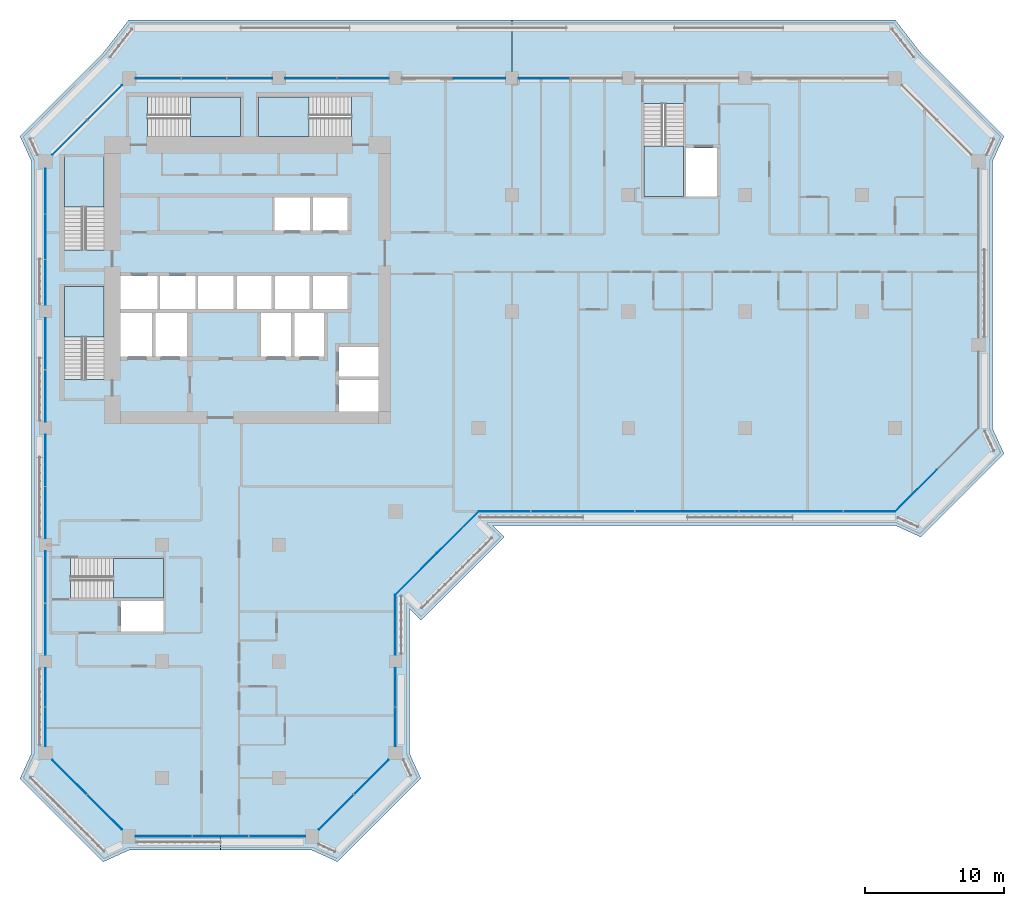
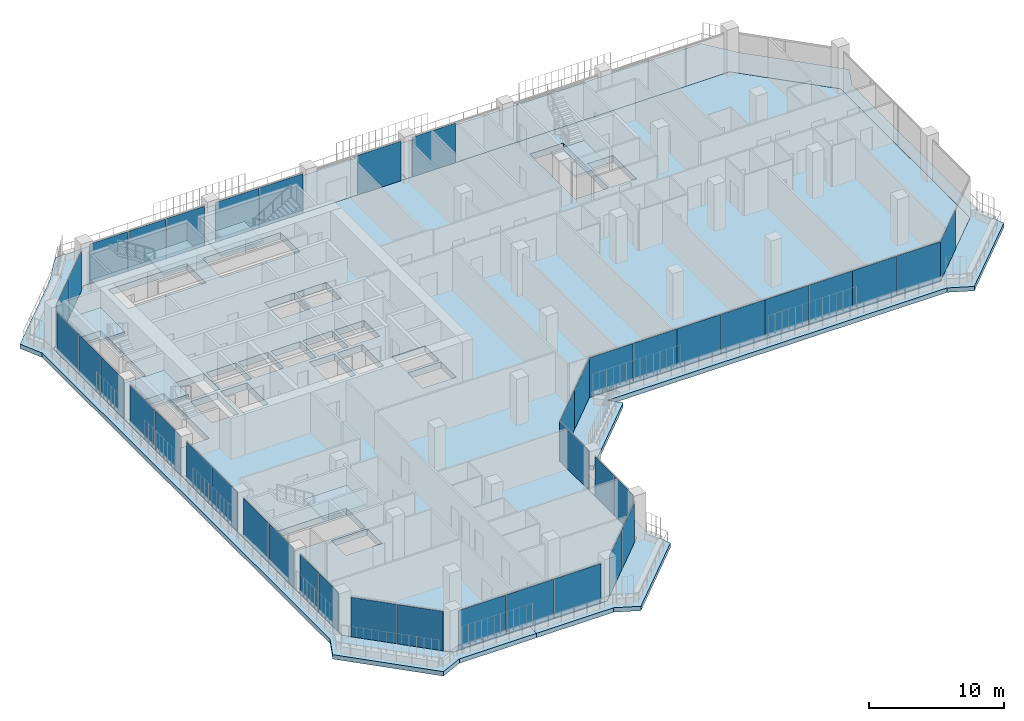
# One storey, part 8 of 22: 41 plates, 9 slabs, 16 elements without a shape of their own.
"""IFC4 building model written with IfcOpenShell, lengths in metres."""

from ifc_helpers import new_model, si_unit, direction, frame, origin, origin_2d, place, context, subcontext, project, spatial, polyline, rectangle, outline, extrude, material, layer, layer_set, type_object, element, aggregate, save


model = new_model("IFC4")

# Units and contexts
model_context = context("Model", 3, precision=1e-05, world=origin(), true_north=direction((0.0, 1.0)))
body_context = subcontext(model_context, "Body", "Model", "MODEL_VIEW")
ifc_project = project(units=[si_unit("LENGTHUNIT", "METRE"), si_unit("AREAUNIT", "SQUARE_METRE"), si_unit("VOLUMEUNIT", "CUBIC_METRE"), si_unit("PLANEANGLEUNIT", "RADIAN"), si_unit("MASSUNIT", "GRAM", prefix="KILO")], contexts=[model_context])

# Site, building, storey
site_placement = place(None, origin())
site = spatial("IfcSite", under=ifc_project, at=site_placement, CompositionType="ELEMENT")
building_placement = place(site_placement, origin())
building = spatial("IfcBuilding", under=site, at=building_placement, Name="Kawkab Arch Medical Tower", CompositionType="ELEMENT")
storey_placement = place(building_placement, frame((0.0, 0.0, 208.800048828125)))
storey = spatial("IfcBuildingStorey", under=building, at=storey_placement, Name="L48", CompositionType="ELEMENT", Elevation=208.800048828125)

# Curtain wall, plates
ifc_material_1 = material(Name="Bronze anodised aluminium curtain wall frame", Category="aluminium")
ifc_layer_1 = layer(ifc_material_1, 0.159912109375)
ifc_layer_set_1 = layer_set([ifc_layer_1], Name="Bronze anodised aluminium curtain wall frame")
curtain_wall_type_1 = type_object("IfcCurtainWallType", Name="CW1 ward curtain wall", PredefinedType="NOTDEFINED", material=ifc_layer_set_1)
placement_1 = place(storey_placement, origin())
curtain_wall_1 = element("IfcCurtainWall", 1, at=placement_1, inside=storey, type_object=curtain_wall_type_1, Name="CW1 Ward curtain wall R01", PredefinedType="NOTDEFINED")
ifc_material_2 = material(Name="Tinted insulating glass, bronze low-e coating", Category="glass")
ifc_layer_2 = layer(ifc_material_2, 0.031982421875)
ifc_layer_set_2 = layer_set([ifc_layer_2], Name="Tinted insulating glass, bronze low-e coating")
plate_type_1 = type_object("IfcPlateType", Name="CW1 glazing unit 32", PredefinedType="CURTAIN_PANEL", material=ifc_layer_set_2)
plate_1_placement = place(storey_placement, frame((0.0, -8.12255859375, 0.0), z_axis=(0.0, 0.0, 1.0), x_axis=(0.0, -1.0, 0.0)))
plate_1 = element("IfcPlate", 2, at=plate_1_placement, type_object=plate_type_1, Name="CW1 glazing unit 1.1", PredefinedType="CURTAIN_PANEL", context=body_context, shape_type="SweptSolid", body=[
    extrude(rectangle(XDim=3.2451171875, YDim=0.031982421875, at=origin_2d()), origin(), (0.0, 0.0, 1.0), 3.580078125),
])
plate_2_placement = place(storey_placement, frame((0.0, -11.41259765625, 0.0), z_axis=(0.0, 0.0, 1.0), x_axis=(0.0, -1.0, 0.0)))
plate_2 = element("IfcPlate", 3, at=plate_2_placement, type_object=plate_type_1, Name="CW1 glazing unit 1.2", PredefinedType="CURTAIN_PANEL", context=body_context, shape_type="SweptSolid", body=[
    extrude(rectangle(XDim=3.215087890625, YDim=0.031982421875, at=origin_2d()), origin(), (0.0, 0.0, 1.0), 3.580078125),
])
plate_3_placement = place(storey_placement, frame((0.0, -14.702392578125, 0.0), z_axis=(0.0, 0.0, 1.0), x_axis=(0.0, -1.0, 0.0)))
plate_3 = element("IfcPlate", 4, at=plate_3_placement, type_object=plate_type_1, Name="CW1 glazing unit 1.3", PredefinedType="CURTAIN_PANEL", context=body_context, shape_type="SweptSolid", body=[
    extrude(rectangle(XDim=3.2451171875, YDim=0.031982421875, at=origin_2d()), origin(), (0.0, 0.0, 1.0), 3.580078125),
])
plate_4_placement = place(storey_placement, frame((0.0, -19.12255859375, 0.0), z_axis=(0.0, 0.0, 1.0), x_axis=(0.0, -1.0, 0.0)))
plate_4 = element("IfcPlate", 5, at=plate_4_placement, type_object=plate_type_1, Name="CW1 glazing unit 2.1", PredefinedType="CURTAIN_PANEL", context=body_context, shape_type="SweptSolid", body=[
    extrude(rectangle(XDim=3.695068359375, YDim=0.031982421875, at=origin_2d()), origin(), (0.0, 0.0, 1.0), 3.580078125),
])
plate_5_placement = place(storey_placement, frame((0.0, -22.87744140625, 0.0), z_axis=(0.0, 0.0, 1.0), x_axis=(0.0, -1.0, 0.0)))
plate_5 = element("IfcPlate", 6, at=plate_5_placement, type_object=plate_type_1, Name="CW1 glazing unit 2.2", PredefinedType="CURTAIN_PANEL", context=body_context, shape_type="SweptSolid", body=[
    extrude(rectangle(XDim=3.695068359375, YDim=0.031982421875, at=origin_2d()), origin(), (0.0, 0.0, 1.0), 3.580078125),
])
plate_6_placement = place(storey_placement, frame((0.0, -27.5224609375, 0.0), z_axis=(0.0, 0.0, 1.0), x_axis=(0.0, -1.0, 0.0)))
plate_6 = element("IfcPlate", 7, at=plate_6_placement, type_object=plate_type_1, Name="CW1 glazing unit 3.1", PredefinedType="CURTAIN_PANEL", context=body_context, shape_type="SweptSolid", body=[
    extrude(rectangle(XDim=3.695068359375, YDim=0.031982421875, at=origin_2d()), origin(), (0.0, 0.0, 1.0), 3.580078125),
])
plate_7_placement = place(storey_placement, frame((0.0, -31.277587890625, 0.0), z_axis=(0.0, 0.0, 1.0), x_axis=(0.0, -1.0, 0.0)))
plate_7 = element("IfcPlate", 8, at=plate_7_placement, type_object=plate_type_1, Name="CW1 glazing unit 3.2", PredefinedType="CURTAIN_PANEL", context=body_context, shape_type="SweptSolid", body=[
    extrude(rectangle(XDim=3.695068359375, YDim=0.031982421875, at=origin_2d()), origin(), (0.0, 0.0, 1.0), 3.580078125),
])
plate_8_placement = place(storey_placement, frame((0.0, -35.922607421875, 0.0), z_axis=(0.0, 0.0, 1.0), x_axis=(0.0, -1.0, 0.0)))
plate_8 = element("IfcPlate", 9, at=plate_8_placement, type_object=plate_type_1, Name="CW1 glazing unit 4.1", PredefinedType="CURTAIN_PANEL", context=body_context, shape_type="SweptSolid", body=[
    extrude(rectangle(XDim=3.695068359375, YDim=0.031982421875, at=origin_2d()), origin(), (0.0, 0.0, 1.0), 3.580078125),
])
plate_9_placement = place(storey_placement, frame((0.0, -39.677490234375, 0.0), z_axis=(0.0, 0.0, 1.0), x_axis=(0.0, -1.0, 0.0)))
plate_9 = element("IfcPlate", 10, at=plate_9_placement, type_object=plate_type_1, Name="CW1 glazing unit 4.2", PredefinedType="CURTAIN_PANEL", context=body_context, shape_type="SweptSolid", body=[
    extrude(rectangle(XDim=3.695068359375, YDim=0.031982421875, at=origin_2d()), origin(), (0.0, 0.0, 1.0), 3.580078125),
])
plate_10_placement = place(storey_placement, frame((0.0, -43.8662109375, 0.0), z_axis=(0.0, 0.0, 1.0), x_axis=(0.0, -1.0, 0.0)))
plate_10 = element("IfcPlate", 11, at=plate_10_placement, type_object=plate_type_1, Name="CW1 glazing unit 5.1", PredefinedType="CURTAIN_PANEL", context=body_context, shape_type="SweptSolid", body=[
    extrude(rectangle(XDim=2.782470703125, YDim=0.031982421875, at=origin_2d()), origin(), (0.0, 0.0, 1.0), 3.580078125),
])
plate_11_placement = place(storey_placement, frame((0.0, -46.708740234375, 0.0), z_axis=(0.0, 0.0, 1.0), x_axis=(0.0, -1.0, 0.0)))
plate_11 = element("IfcPlate", 12, at=plate_11_placement, type_object=plate_type_1, Name="CW1 glazing unit 5.2", PredefinedType="CURTAIN_PANEL", context=body_context, shape_type="SweptSolid", body=[
    extrude(rectangle(XDim=2.782470703125, YDim=0.031982421875, at=origin_2d()), origin(), (0.0, 0.0, 1.0), 3.580078125),
])
aggregate(curtain_wall_1, [plate_1, plate_2, plate_3, plate_4, plate_5, plate_6, plate_7, plate_8, plate_9, plate_10, plate_11])

curtain_wall_2 = element("IfcCurtainWall", 13, at=placement_1, inside=storey, type_object=curtain_wall_type_1, Name="CW1 Ward curtain wall R03", PredefinedType="NOTDEFINED")
plate_12_placement = place(storey_placement, frame((8.518310546875, -54.60009765625, 0.0), z_axis=(0.0, 0.0, 1.0), x_axis=(1.0, 0.0, 0.0)))
plate_12 = element("IfcPlate", 14, at=plate_12_placement, type_object=plate_type_1, Name="CW1 glazing unit 1.1", PredefinedType="CURTAIN_PANEL", context=body_context, shape_type="SweptSolid", body=[
    extrude(rectangle(XDim=4.03662109375, YDim=0.031982421875, at=origin_2d()), origin(), (0.0, 0.0, 1.0), 3.580078125),
])
plate_13_placement = place(storey_placement, frame((12.60009765625, -54.60009765625, 0.0), z_axis=(0.0, 0.0, 1.0), x_axis=(1.0, 0.0, 0.0)))
plate_13 = element("IfcPlate", 15, at=plate_13_placement, type_object=plate_type_1, Name="CW1 glazing unit 1.2", PredefinedType="CURTAIN_PANEL", context=body_context, shape_type="SweptSolid", body=[
    extrude(rectangle(XDim=4.006591796875, YDim=0.031982421875, at=origin_2d()), origin(), (0.0, 0.0, 1.0), 3.580078125),
])
plate_14_placement = place(storey_placement, frame((16.681640625, -54.60009765625, 0.0), z_axis=(0.0, 0.0, 1.0), x_axis=(1.0, 0.0, 0.0)))
plate_14 = element("IfcPlate", 16, at=plate_14_placement, type_object=plate_type_1, Name="CW1 glazing unit 1.3", PredefinedType="CURTAIN_PANEL", context=body_context, shape_type="SweptSolid", body=[
    extrude(rectangle(XDim=4.03662109375, YDim=0.031982421875, at=origin_2d()), origin(), (0.0, 0.0, 1.0), 3.580078125),
])
aggregate(curtain_wall_2, [plate_12, plate_13, plate_14])

curtain_wall_3 = element("IfcCurtainWall", 17, at=placement_1, inside=storey, type_object=curtain_wall_type_1, Name="CW1 Ward curtain wall R05", PredefinedType="NOTDEFINED")
plate_15_placement = place(storey_placement, frame((25.199951171875, -46.708740234375, 0.0), z_axis=(0.0, 0.0, 1.0), x_axis=(0.0, 1.0, 0.0)))
plate_15 = element("IfcPlate", 18, at=plate_15_placement, type_object=plate_type_1, Name="CW1 glazing unit 1.1", PredefinedType="CURTAIN_PANEL", context=body_context, shape_type="SweptSolid", body=[
    extrude(rectangle(XDim=2.782470703125, YDim=0.031982421875, at=origin_2d()), origin(), (0.0, 0.0, 1.0), 3.580078125),
])
plate_16_placement = place(storey_placement, frame((25.199951171875, -43.8662109375, 0.0), z_axis=(0.0, 0.0, 1.0), x_axis=(0.0, 1.0, 0.0)))
plate_16 = element("IfcPlate", 19, at=plate_16_placement, type_object=plate_type_1, Name="CW1 glazing unit 1.2", PredefinedType="CURTAIN_PANEL", context=body_context, shape_type="SweptSolid", body=[
    extrude(rectangle(XDim=2.782470703125, YDim=0.031982421875, at=origin_2d()), origin(), (0.0, 0.0, 1.0), 3.580078125),
])
plate_17_placement = place(storey_placement, frame((25.199951171875, -39.362548828125, 0.0), z_axis=(0.0, 0.0, 1.0), x_axis=(0.0, 1.0, 0.0)))
plate_17 = element("IfcPlate", 20, at=plate_17_placement, type_object=plate_type_1, Name="CW1 glazing unit 2.1", PredefinedType="CURTAIN_PANEL", context=body_context, shape_type="SweptSolid", body=[
    extrude(rectangle(XDim=4.324951171875, YDim=0.031982421875, at=origin_2d()), origin(), (0.0, 0.0, 1.0), 3.580078125),
])
aggregate(curtain_wall_3, [plate_15, plate_16, plate_17])

curtain_wall_4 = element("IfcCurtainWall", 21, at=placement_1, inside=storey, type_object=curtain_wall_type_1, Name="CW1 Ward curtain wall R07", PredefinedType="NOTDEFINED")
plate_18_placement = place(storey_placement, frame((33.06005859375, -31.199951171875, 0.0), z_axis=(0.0, 0.0, 1.0), x_axis=(1.0, 0.0, 0.0)))
plate_18 = element("IfcPlate", 22, at=plate_18_placement, type_object=plate_type_1, Name="CW1 glazing unit 1.1", PredefinedType="CURTAIN_PANEL", context=body_context, shape_type="SweptSolid", body=[
    extrude(rectangle(XDim=3.719970703125, YDim=0.031982421875, at=origin_2d()), origin(), (0.0, 0.0, 1.0), 3.580078125),
])
plate_19_placement = place(storey_placement, frame((36.840087890625, -31.199951171875, 0.0), z_axis=(0.0, 0.0, 1.0), x_axis=(1.0, 0.0, 0.0)))
plate_19 = element("IfcPlate", 23, at=plate_19_placement, type_object=plate_type_1, Name="CW1 glazing unit 1.2", PredefinedType="CURTAIN_PANEL", context=body_context, shape_type="SweptSolid", body=[
    extrude(rectangle(XDim=3.719970703125, YDim=0.031982421875, at=origin_2d()), origin(), (0.0, 0.0, 1.0), 3.580078125),
])
plate_20_placement = place(storey_placement, frame((40.56005859375, -31.199951171875, 0.0), z_axis=(0.0, 0.0, 1.0), x_axis=(1.0, 0.0, 0.0)))
plate_20 = element("IfcPlate", 24, at=plate_20_placement, type_object=plate_type_1, Name="CW1 glazing unit 2.1", PredefinedType="CURTAIN_PANEL", context=body_context, shape_type="SweptSolid", body=[
    extrude(rectangle(XDim=3.719970703125, YDim=0.031982421875, at=origin_2d()), origin(), (0.0, 0.0, 1.0), 3.580078125),
])
plate_21_placement = place(storey_placement, frame((44.340087890625, -31.199951171875, 0.0), z_axis=(0.0, 0.0, 1.0), x_axis=(1.0, 0.0, 0.0)))
plate_21 = element("IfcPlate", 25, at=plate_21_placement, type_object=plate_type_1, Name="CW1 glazing unit 2.2", PredefinedType="CURTAIN_PANEL", context=body_context, shape_type="SweptSolid", body=[
    extrude(rectangle(XDim=3.719970703125, YDim=0.031982421875, at=origin_2d()), origin(), (0.0, 0.0, 1.0), 3.580078125),
])
plate_22_placement = place(storey_placement, frame((48.06005859375, -31.199951171875, 0.0), z_axis=(0.0, 0.0, 1.0), x_axis=(1.0, 0.0, 0.0)))
plate_22 = element("IfcPlate", 26, at=plate_22_placement, type_object=plate_type_1, Name="CW1 glazing unit 3.1", PredefinedType="CURTAIN_PANEL", context=body_context, shape_type="SweptSolid", body=[
    extrude(rectangle(XDim=3.719970703125, YDim=0.031982421875, at=origin_2d()), origin(), (0.0, 0.0, 1.0), 3.580078125),
])
plate_23_placement = place(storey_placement, frame((51.840087890625, -31.199951171875, 0.0), z_axis=(0.0, 0.0, 1.0), x_axis=(1.0, 0.0, 0.0)))
plate_23 = element("IfcPlate", 27, at=plate_23_placement, type_object=plate_type_1, Name="CW1 glazing unit 3.2", PredefinedType="CURTAIN_PANEL", context=body_context, shape_type="SweptSolid", body=[
    extrude(rectangle(XDim=3.719970703125, YDim=0.031982421875, at=origin_2d()), origin(), (0.0, 0.0, 1.0), 3.580078125),
])
plate_24_placement = place(storey_placement, frame((55.56005859375, -31.199951171875, 0.0), z_axis=(0.0, 0.0, 1.0), x_axis=(1.0, 0.0, 0.0)))
plate_24 = element("IfcPlate", 28, at=plate_24_placement, type_object=plate_type_1, Name="CW1 glazing unit 4.1", PredefinedType="CURTAIN_PANEL", context=body_context, shape_type="SweptSolid", body=[
    extrude(rectangle(XDim=3.719970703125, YDim=0.031982421875, at=origin_2d()), origin(), (0.0, 0.0, 1.0), 3.580078125),
])
plate_25_placement = place(storey_placement, frame((59.340087890625, -31.199951171875, 0.0), z_axis=(0.0, 0.0, 1.0), x_axis=(1.0, 0.0, 0.0)))
plate_25 = element("IfcPlate", 29, at=plate_25_placement, type_object=plate_type_1, Name="CW1 glazing unit 4.2", PredefinedType="CURTAIN_PANEL", context=body_context, shape_type="SweptSolid", body=[
    extrude(rectangle(XDim=3.719970703125, YDim=0.031982421875, at=origin_2d()), origin(), (0.0, 0.0, 1.0), 3.580078125),
])
aggregate(curtain_wall_4, [plate_18, plate_19, plate_20, plate_21, plate_22, plate_23, plate_24, plate_25])

curtain_wall_5 = element("IfcCurtainWall", 30, at=placement_1, inside=storey, type_object=curtain_wall_type_1, Name="CW1 Ward curtain wall R11", PredefinedType="NOTDEFINED")
plate_26_placement = place(storey_placement, frame((35.922607421875, 0.0, 0.0), z_axis=(0.0, 0.0, 1.0), x_axis=(-1.0, 0.0, 0.0)))
plate_26 = element("IfcPlate", 31, at=plate_26_placement, type_object=plate_type_1, Name="CW1 glazing unit 3.2", PredefinedType="CURTAIN_PANEL", context=body_context, shape_type="SweptSolid", body=[
    extrude(rectangle(XDim=3.695068359375, YDim=0.031982421875, at=origin_2d()), origin(), (0.0, 0.0, 1.0), 3.580078125),
])
plate_27_placement = place(storey_placement, frame((31.262451171875, 0.0, 0.0), z_axis=(0.0, 0.0, 1.0), x_axis=(-1.0, 0.0, 0.0)))
plate_27 = element("IfcPlate", 32, at=plate_27_placement, type_object=plate_type_1, Name="CW1 glazing unit 4.1", PredefinedType="CURTAIN_PANEL", context=body_context, shape_type="SweptSolid", body=[
    extrude(rectangle(XDim=3.72509765625, YDim=0.031982421875, at=origin_2d()), origin(), (0.0, 0.0, 1.0), 3.580078125),
])
plate_28_placement = place(storey_placement, frame((22.87744140625, 0.0, 0.0), z_axis=(0.0, 0.0, 1.0), x_axis=(-1.0, 0.0, 0.0)))
plate_28 = element("IfcPlate", 33, at=plate_28_placement, type_object=plate_type_1, Name="CW1 glazing unit 5.1", PredefinedType="CURTAIN_PANEL", context=body_context, shape_type="SweptSolid", body=[
    extrude(rectangle(XDim=3.695068359375, YDim=0.031982421875, at=origin_2d()), origin(), (0.0, 0.0, 1.0), 3.580078125),
])
plate_29_placement = place(storey_placement, frame((19.12255859375, 0.0, 0.0), z_axis=(0.0, 0.0, 1.0), x_axis=(-1.0, 0.0, 0.0)))
plate_29 = element("IfcPlate", 34, at=plate_29_placement, type_object=plate_type_1, Name="CW1 glazing unit 5.2", PredefinedType="CURTAIN_PANEL", context=body_context, shape_type="SweptSolid", body=[
    extrude(rectangle(XDim=3.695068359375, YDim=0.031982421875, at=origin_2d()), origin(), (0.0, 0.0, 1.0), 3.580078125),
])
plate_30_placement = place(storey_placement, frame((14.702392578125, 0.0, 0.0), z_axis=(0.0, 0.0, 1.0), x_axis=(-1.0, 0.0, 0.0)))
plate_30 = element("IfcPlate", 35, at=plate_30_placement, type_object=plate_type_1, Name="CW1 glazing unit 6.1", PredefinedType="CURTAIN_PANEL", context=body_context, shape_type="SweptSolid", body=[
    extrude(rectangle(XDim=3.2451171875, YDim=0.031982421875, at=origin_2d()), origin(), (0.0, 0.0, 1.0), 3.580078125),
])
plate_31_placement = place(storey_placement, frame((11.41259765625, 0.0, 0.0), z_axis=(0.0, 0.0, 1.0), x_axis=(-1.0, 0.0, 0.0)))
plate_31 = element("IfcPlate", 36, at=plate_31_placement, type_object=plate_type_1, Name="CW1 glazing unit 6.2", PredefinedType="CURTAIN_PANEL", context=body_context, shape_type="SweptSolid", body=[
    extrude(rectangle(XDim=3.215087890625, YDim=0.031982421875, at=origin_2d()), origin(), (0.0, 0.0, 1.0), 3.580078125),
])
plate_32_placement = place(storey_placement, frame((8.12255859375, 0.0, 0.0), z_axis=(0.0, 0.0, 1.0), x_axis=(-1.0, 0.0, 0.0)))
plate_32 = element("IfcPlate", 37, at=plate_32_placement, type_object=plate_type_1, Name="CW1 glazing unit 6.3", PredefinedType="CURTAIN_PANEL", context=body_context, shape_type="SweptSolid", body=[
    extrude(rectangle(XDim=3.2451171875, YDim=0.031982421875, at=origin_2d()), origin(), (0.0, 0.0, 1.0), 3.580078125),
])
aggregate(curtain_wall_5, [plate_26, plate_27, plate_28, plate_29, plate_30, plate_31, plate_32])

ifc_material_3 = material(Name="Bronze anodised aluminium curtain wall frame", Category="aluminium")
ifc_layer_3 = layer(ifc_material_3, 0.159912109375)
ifc_layer_set_3 = layer_set([ifc_layer_3], Name="Bronze anodised aluminium curtain wall frame")
curtain_wall_type_2 = type_object("IfcCurtainWallType", Name="CW2 chamfer curtain wall", PredefinedType="NOTDEFINED", material=ifc_layer_set_3)
curtain_wall_6 = element("IfcCurtainWall", 38, at=placement_1, inside=storey, type_object=curtain_wall_type_2, Name="CW2 Chamfer curtain wall R02", PredefinedType="NOTDEFINED")
ifc_material_4 = material(Name="Tinted insulating glass, bronze low-e coating", Category="glass")
ifc_layer_4 = layer(ifc_material_4, 0.031982421875)
ifc_layer_set_4 = layer_set([ifc_layer_4], Name="Tinted insulating glass, bronze low-e coating")
plate_type_2 = type_object("IfcPlateType", Name="CW2 glazing unit 32", PredefinedType="CURTAIN_PANEL", material=ifc_layer_set_4)
plate_33_placement = place(storey_placement, frame((1.739501953125, -50.33935546875, 0.0), z_axis=(0.0, 0.0, 1.0), x_axis=(0.707106781187, -0.707106781187, 0.0)))
plate_33 = element("IfcPlate", 39, at=plate_33_placement, type_object=plate_type_2, Name="CW2 glazing unit 1.1", PredefinedType="CURTAIN_PANEL", context=body_context, shape_type="SweptSolid", body=[
    extrude(rectangle(XDim=3.505615234375, YDim=0.031982421875, at=origin_2d()), origin(), (0.0, 0.0, 1.0), 3.56005859375),
])
plate_34_placement = place(storey_placement, frame((4.260498046875, -52.860595703125, 0.0), z_axis=(0.0, 0.0, 1.0), x_axis=(0.707106781187, -0.707106781187, 0.0)))
plate_34 = element("IfcPlate", 40, at=plate_34_placement, type_object=plate_type_2, Name="CW2 glazing unit 1.2", PredefinedType="CURTAIN_PANEL", context=body_context, shape_type="SweptSolid", body=[
    extrude(rectangle(XDim=3.505615234375, YDim=0.031982421875, at=origin_2d()), origin(), (0.0, 0.0, 1.0), 3.56005859375),
])
aggregate(curtain_wall_6, [plate_33, plate_34])

curtain_wall_7 = element("IfcCurtainWall", 41, at=placement_1, inside=storey, type_object=curtain_wall_type_2, Name="CW2 Chamfer curtain wall R04", PredefinedType="NOTDEFINED")
plate_35_placement = place(storey_placement, frame((20.939453125, -52.860595703125, 0.0), z_axis=(0.0, 0.0, 1.0), x_axis=(0.707106781187, 0.707106781187, 0.0)))
plate_35 = element("IfcPlate", 42, at=plate_35_placement, type_object=plate_type_2, Name="CW2 glazing unit 1.1", PredefinedType="CURTAIN_PANEL", context=body_context, shape_type="SweptSolid", body=[
    extrude(rectangle(XDim=3.505615234375, YDim=0.031982421875, at=origin_2d()), origin(), (0.0, 0.0, 1.0), 3.56005859375),
])
plate_36_placement = place(storey_placement, frame((23.460693359375, -50.33935546875, 0.0), z_axis=(0.0, 0.0, 1.0), x_axis=(0.707106781187, 0.707106781187, 0.0)))
plate_36 = element("IfcPlate", 43, at=plate_36_placement, type_object=plate_type_2, Name="CW2 glazing unit 1.2", PredefinedType="CURTAIN_PANEL", context=body_context, shape_type="SweptSolid", body=[
    extrude(rectangle(XDim=3.505615234375, YDim=0.031982421875, at=origin_2d()), origin(), (0.0, 0.0, 1.0), 3.56005859375),
])
aggregate(curtain_wall_7, [plate_35, plate_36])

curtain_wall_8 = element("IfcCurtainWall", 44, at=placement_1, inside=storey, type_object=curtain_wall_type_2, Name="CW2 Chamfer curtain wall R06", PredefinedType="NOTDEFINED")
plate_37_placement = place(storey_placement, frame((26.699951171875, -35.699951171875, 0.0), z_axis=(0.0, 0.0, 1.0), x_axis=(0.707106781187, 0.707106781187, 0.0)))
plate_37 = element("IfcPlate", 45, at=plate_37_placement, type_object=plate_type_2, Name="CW2 glazing unit 1.1", PredefinedType="CURTAIN_PANEL", context=body_context, shape_type="SweptSolid", body=[
    extrude(rectangle(XDim=4.24267578125, YDim=0.031982421875, at=origin_2d()), origin(), (0.0, 0.0, 1.0), 3.56005859375),
])
plate_38_placement = place(storey_placement, frame((29.699951171875, -32.699951171875, 0.0), z_axis=(0.0, 0.0, 1.0), x_axis=(0.707106781187, 0.707106781187, 0.0)))
plate_38 = element("IfcPlate", 46, at=plate_38_placement, type_object=plate_type_2, Name="CW2 glazing unit 2.1", PredefinedType="CURTAIN_PANEL", context=body_context, shape_type="SweptSolid", body=[
    extrude(rectangle(XDim=4.24267578125, YDim=0.031982421875, at=origin_2d()), origin(), (0.0, 0.0, 1.0), 3.56005859375),
])
aggregate(curtain_wall_8, [plate_37, plate_38])

# Curtain wall, plate
curtain_wall_9 = element("IfcCurtainWall", 47, at=placement_1, inside=storey, type_object=curtain_wall_type_2, Name="CW2 Chamfer curtain wall R08", PredefinedType="NOTDEFINED")
plate_39_placement = place(storey_placement, frame((62.699951171875, -29.699951171875, 0.0), z_axis=(0.0, 0.0, 1.0), x_axis=(0.707106781187, 0.707106781187, 0.0)))
plate_39 = element("IfcPlate", 48, at=plate_39_placement, type_object=plate_type_2, Name="CW2 glazing unit 1.1", PredefinedType="CURTAIN_PANEL", context=body_context, shape_type="SweptSolid", body=[
    extrude(rectangle(XDim=4.24267578125, YDim=0.031982421875, at=origin_2d()), origin(), (0.0, 0.0, 1.0), 3.56005859375),
])
aggregate(curtain_wall_9, [plate_39])

# Curtain wall, plates
curtain_wall_10 = element("IfcCurtainWall", 49, at=placement_1, inside=storey, type_object=curtain_wall_type_2, Name="CW2 Chamfer curtain wall R12", PredefinedType="NOTDEFINED")
plate_40_placement = place(storey_placement, frame((4.260498046875, -1.739501953125, 0.0), z_axis=(0.0, 0.0, 1.0), x_axis=(-0.707106781187, -0.707106781187, 0.0)))
plate_40 = element("IfcPlate", 50, at=plate_40_placement, type_object=plate_type_2, Name="CW2 glazing unit 1.1", PredefinedType="CURTAIN_PANEL", context=body_context, shape_type="SweptSolid", body=[
    extrude(rectangle(XDim=3.505615234375, YDim=0.031982421875, at=origin_2d()), origin(), (0.0, 0.0, 1.0), 3.56005859375),
])
plate_41_placement = place(storey_placement, frame((1.739501953125, -4.260498046875, 0.0), z_axis=(0.0, 0.0, 1.0), x_axis=(-0.707106781187, -0.707106781187, 0.0)))
plate_41 = element("IfcPlate", 51, at=plate_41_placement, type_object=plate_type_2, Name="CW2 glazing unit 1.2", PredefinedType="CURTAIN_PANEL", context=body_context, shape_type="SweptSolid", body=[
    extrude(rectangle(XDim=3.505615234375, YDim=0.031982421875, at=origin_2d()), origin(), (0.0, 0.0, 1.0), 3.56005859375),
])
aggregate(curtain_wall_10, [plate_40, plate_41])

# Stair, slab
ifc_material_5 = material(Name="Concrete C40/50", Category="concrete")
stair_type = type_object("IfcStairType", Name="Exit stair 1350", PredefinedType="HALF_TURN_STAIR", material=ifc_material_5)
stair_1 = element("IfcStair", 52, at=placement_1, inside=storey, type_object=stair_type, Name="L48 Exit stair ST1", PredefinedType="HALF_TURN_STAIR")
ifc_material_6 = material(Name="Concrete C40/50", Category="concrete")
ifc_layer_5 = layer(ifc_material_6, 0.199951171875)
ifc_layer_set_5 = layer_set([ifc_layer_5], Name="Concrete C40/50")
slab_type_1 = type_object("IfcSlabType", Name="Exit stair landing 200", PredefinedType="LANDING", material=ifc_layer_set_5)
placement_2 = place(storey_placement, frame((0.0, 0.0, 1.89990234375)))
slab_1 = element("IfcSlab", 53, at=placement_2, type_object=slab_type_1, Name="ST1 landing 1", PredefinedType="LANDING", context=body_context, shape_type="SweptSolid", body=[
    extrude(outline(polyline([(4.199951171875, -9.27001953125), (4.199951171875, -5.64990234375), (1.35009765625, -5.64990234375), (1.35009765625, -9.27001953125), (4.199951171875, -9.27001953125)])), origin(), (0.0, 0.0, 1.0), 0.199951171875),
])
aggregate(stair_1, [slab_1])

stair_2 = element("IfcStair", 54, at=placement_1, inside=storey, type_object=stair_type, Name="L48 Exit stair ST2", PredefinedType="HALF_TURN_STAIR")
slab_2 = element("IfcSlab", 55, at=placement_2, type_object=slab_type_1, Name="ST2 landing 1", PredefinedType="LANDING", context=body_context, shape_type="SweptSolid", body=[
    extrude(outline(polyline([(4.199951171875, -18.6201171875), (4.199951171875, -15.0), (1.35009765625, -15.0), (1.35009765625, -18.6201171875), (4.199951171875, -18.6201171875)])), origin(), (0.0, 0.0, 1.0), 0.199951171875),
])
aggregate(stair_2, [slab_2])

stair_3 = element("IfcStair", 56, at=placement_1, inside=storey, type_object=stair_type, Name="L48 Exit stair ST3", PredefinedType="HALF_TURN_STAIR")
slab_3 = element("IfcSlab", 57, at=placement_2, type_object=slab_type_1, Name="ST3 landing 1", PredefinedType="LANDING", context=body_context, shape_type="SweptSolid", body=[
    extrude(outline(polyline([(10.429931640625, -4.199951171875), (14.050048828125, -4.199951171875), (14.050048828125, -1.35009765625), (10.429931640625, -1.35009765625), (10.429931640625, -4.199951171875)])), origin(), (0.0, 0.0, 1.0), 0.199951171875),
])
aggregate(stair_3, [slab_3])

stair_4 = element("IfcStair", 58, at=placement_1, inside=storey, type_object=stair_type, Name="L48 Exit stair ST4", PredefinedType="HALF_TURN_STAIR")
slab_4 = element("IfcSlab", 59, at=placement_2, type_object=slab_type_1, Name="ST4 landing 1", PredefinedType="LANDING", context=body_context, shape_type="SweptSolid", body=[
    extrude(outline(polyline([(18.969970703125, -1.35009765625), (15.35009765625, -1.35009765625), (15.35009765625, -4.199951171875), (18.969970703125, -4.199951171875), (18.969970703125, -1.35009765625)])), origin(), (0.0, 0.0, 1.0), 0.199951171875),
])
aggregate(stair_4, [slab_4])

stair_5 = element("IfcStair", 60, at=placement_1, inside=storey, type_object=stair_type, Name="L48 Exit stair ST5", PredefinedType="HALF_TURN_STAIR")
slab_5 = element("IfcSlab", 61, at=placement_2, type_object=slab_type_1, Name="ST5 landing 1", PredefinedType="LANDING", context=body_context, shape_type="SweptSolid", body=[
    extrude(outline(polyline([(43.10009765625, -4.8798828125), (43.10009765625, -8.5), (45.949951171875, -8.5), (45.949951171875, -4.8798828125), (43.10009765625, -4.8798828125)])), origin(), (0.0, 0.0, 1.0), 0.199951171875),
])
aggregate(stair_5, [slab_5])

stair_6 = element("IfcStair", 62, at=placement_1, inside=storey, type_object=stair_type, Name="L48 Exit stair ST6", PredefinedType="HALF_TURN_STAIR")
slab_6 = element("IfcSlab", 63, at=placement_2, type_object=slab_type_1, Name="ST6 landing 1", PredefinedType="LANDING", context=body_context, shape_type="SweptSolid", body=[
    extrude(outline(polyline([(4.8798828125, -37.449951171875), (8.5, -37.449951171875), (8.5, -34.60009765625), (4.8798828125, -34.60009765625), (4.8798828125, -37.449951171875)])), origin(), (0.0, 0.0, 1.0), 0.199951171875),
])
aggregate(stair_6, [slab_6])

# Slabs
ifc_material_7 = material(Name="Concrete C45/55", Category="concrete")
ifc_layer_6 = layer(ifc_material_7, 0.60009765625)
ifc_layer_set_6 = layer_set([ifc_layer_6], Name="Concrete C45/55")
slab_type_2 = type_object("IfcSlabType", Name="Flat plate 600 C45/55", PredefinedType="FLOOR", material=ifc_layer_set_6)
slab_7_placement = place(storey_placement, frame((0.0, 0.0, -0.60009765625)))
element("IfcSlab", 64, at=slab_7_placement, inside=storey, type_object=slab_type_2, Name="Floor slab L48", PredefinedType="FLOOR", context=body_context, shape_type="SweptSolid", body=[
    extrude(outline(polyline([(6.0, 0.0), (61.199951171875, 0.0), (67.199951171875, -6.0), (67.199951171875, -25.199951171875), (61.199951171875, -31.199951171875), (31.199951171875, -31.199951171875), (25.199951171875, -37.199951171875), (25.199951171875, -48.60009765625), (19.199951171875, -54.60009765625), (6.0, -54.60009765625), (0.0, -48.60009765625), (0.0, -6.0), (6.0, 0.0)]), holes=[polyline([(5.425048828125, -37.64990234375), (5.425048828125, -39.85009765625), (8.5, -39.85009765625), (8.5, -37.64990234375), (5.425048828125, -37.64990234375)]), polyline([(8.5, -37.449951171875), (8.5, -34.60009765625), (1.800048828125, -34.60009765625), (1.800048828125, -37.449951171875), (8.5, -37.449951171875)]), polyline([(5.39990234375, -20.050048828125), (7.675048828125, -20.050048828125), (7.675048828125, -16.89990234375), (5.39990234375, -16.89990234375), (5.39990234375, -20.050048828125)]), polyline([(10.199951171875, -20.050048828125), (10.199951171875, -16.89990234375), (7.925048828125, -16.89990234375), (7.925048828125, -20.050048828125), (10.199951171875, -20.050048828125)]), polyline([(4.199951171875, -21.699951171875), (4.199951171875, -15.0), (1.35009765625, -15.0), (1.35009765625, -21.699951171875), (4.199951171875, -21.699951171875)]), polyline([(5.39990234375, -16.60009765625), (8.050048828125, -16.60009765625), (8.050048828125, -14.25), (5.39990234375, -14.25), (5.39990234375, -16.60009765625)]), polyline([(10.800048828125, -14.25), (8.25, -14.25), (8.25, -16.60009765625), (10.800048828125, -16.60009765625), (10.800048828125, -14.25)]), polyline([(13.52490234375, -16.60009765625), (13.52490234375, -14.25), (11.0, -14.25), (11.0, -16.60009765625), (13.52490234375, -16.60009765625)]), polyline([(16.27490234375, -14.25), (13.77490234375, -14.25), (13.77490234375, -16.60009765625), (16.27490234375, -16.60009765625), (16.27490234375, -14.25)]), polyline([(4.199951171875, -12.35009765625), (4.199951171875, -5.64990234375), (1.35009765625, -5.64990234375), (1.35009765625, -12.35009765625), (4.199951171875, -12.35009765625)]), polyline([(7.35009765625, -4.199951171875), (14.050048828125, -4.199951171875), (14.050048828125, -1.35009765625), (7.35009765625, -1.35009765625), (7.35009765625, -4.199951171875)]), polyline([(24.0, -21.72509765625), (21.14990234375, -21.72509765625), (21.14990234375, -24.0), (24.0, -24.0), (24.0, -21.72509765625)]), polyline([(24.0, -19.35009765625), (21.14990234375, -19.35009765625), (21.14990234375, -21.47509765625), (24.0, -21.47509765625), (24.0, -19.35009765625)]), polyline([(15.52490234375, -20.050048828125), (17.675048828125, -20.050048828125), (17.675048828125, -16.89990234375), (15.52490234375, -16.89990234375), (15.52490234375, -20.050048828125)]), polyline([(17.925048828125, -16.89990234375), (17.925048828125, -20.050048828125), (20.050048828125, -20.050048828125), (20.050048828125, -16.89990234375), (17.925048828125, -16.89990234375)]), polyline([(16.52490234375, -14.25), (16.52490234375, -16.60009765625), (19.02490234375, -16.60009765625), (19.02490234375, -14.25), (16.52490234375, -14.25)]), polyline([(19.27490234375, -14.25), (19.27490234375, -16.60009765625), (21.75, -16.60009765625), (21.75, -14.25), (19.27490234375, -14.25)]), polyline([(16.5, -10.949951171875), (19.050048828125, -10.949951171875), (19.050048828125, -8.60009765625), (16.5, -8.60009765625), (16.5, -10.949951171875)]), polyline([(19.25, -8.60009765625), (19.25, -10.949951171875), (21.75, -10.949951171875), (21.75, -8.60009765625), (19.25, -8.60009765625)]), polyline([(46.14990234375, -8.5), (48.35009765625, -8.5), (48.35009765625, -5.02490234375), (46.14990234375, -5.02490234375), (46.14990234375, -8.5)]), polyline([(43.10009765625, -1.800048828125), (43.10009765625, -8.5), (45.949951171875, -8.5), (45.949951171875, -1.800048828125), (43.10009765625, -1.800048828125)]), polyline([(22.050048828125, -1.35009765625), (15.35009765625, -1.35009765625), (15.35009765625, -4.199951171875), (22.050048828125, -4.199951171875), (22.050048828125, -1.35009765625)])]), origin(), (0.0, 0.0, 1.0), 0.60009765625),
])
ifc_material_8 = material(Name="Concrete C40/50", Category="concrete")
ifc_layer_7 = layer(ifc_material_8, 0.39990234375)
ifc_layer_set_7 = layer_set([ifc_layer_7], Name="Concrete C40/50")
slab_type_3 = type_object("IfcSlabType", Name="Loggia slab 400", PredefinedType="FLOOR", material=ifc_layer_set_7)
placement_3 = place(storey_placement, frame((0.0, 0.0, -0.400146484375)))
element("IfcSlab", 65, at=placement_3, inside=storey, type_object=slab_type_3, Name="Loggia slab L48.3", PredefinedType="FLOOR", context=body_context, shape_type="SweptSolid", body=[
    extrude(outline(polyline([(-1.837890625, -50.43701171875), (-1.0, -48.60009765625), (-1.0, -6.0), (-1.837890625, -4.1630859375), (4.162109375, 1.837890625), (5.9990234375, 4.198974609375), (6.0009765625, 4.198974609375), (6.0009765625, 4.199951171875), (33.59912109375, 4.199951171875), (33.59912109375, 4.198974609375), (33.60009765625, 4.198974609375), (33.60009765625, 0.001953125), (33.59912109375, 0.001953125), (33.59912109375, 0.0009765625), (6.0, 0.0009765625), (-0.0009765625, -6.0), (-0.0009765625, -48.60009765625), (6.0, -54.60107421875), (12.59912109375, -54.60107421875), (12.59912109375, -54.60205078125), (12.60009765625, -54.60205078125), (12.60009765625, -55.59912109375), (12.59912109375, -55.59912109375), (12.59912109375, -55.60009765625), (6.0, -55.60009765625), (4.1630859375, -56.43798828125), (-1.837890625, -50.43701171875)])), origin(), (0.0, 0.0, 1.0), 0.400146484375),
])
element("IfcSlab", 66, at=placement_3, inside=storey, type_object=slab_type_3, Name="Loggia slab L48.4", PredefinedType="FLOOR", context=body_context, shape_type="SweptSolid", body=[
    extrude(outline(polyline([(12.60107421875, -55.60009765625), (12.60107421875, -55.59912109375), (12.60009765625, -55.59912109375), (12.60009765625, -54.60205078125), (12.60107421875, -54.60205078125), (12.60107421875, -54.60107421875), (19.199951171875, -54.60107421875), (25.199951171875, -48.60009765625), (25.199951171875, -37.200927734375), (31.200927734375, -31.199951171875), (61.199951171875, -31.199951171875), (67.200927734375, -25.199951171875), (67.200927734375, -6.0), (61.199951171875, 0.0009765625), (33.60107421875, 0.0009765625), (33.60107421875, 0.001953125), (33.60009765625, 0.001953125), (33.60009765625, 4.198974609375), (33.60107421875, 4.198974609375), (33.60107421875, 4.199951171875), (61.198974609375, 4.199951171875), (61.198974609375, 4.198974609375), (61.200927734375, 4.198974609375), (63.0380859375, 1.837890625), (69.0380859375, -4.1630859375), (68.199951171875, -6.0), (68.199951171875, -25.199951171875), (69.0380859375, -27.037109375), (63.037109375, -33.0380859375), (61.199951171875, -32.199951171875), (32.198974609375, -32.199951171875), (33.035888671875, -33.0380859375), (27.0380859375, -39.035888671875), (26.199951171875, -38.198974609375), (26.199951171875, -48.60009765625), (27.0380859375, -50.43701171875), (21.037109375, -56.43798828125), (19.199951171875, -55.60009765625), (12.60107421875, -55.60009765625)])), origin(), (0.0, 0.0, 1.0), 0.400146484375),
])

save(model, "model.ifc")
